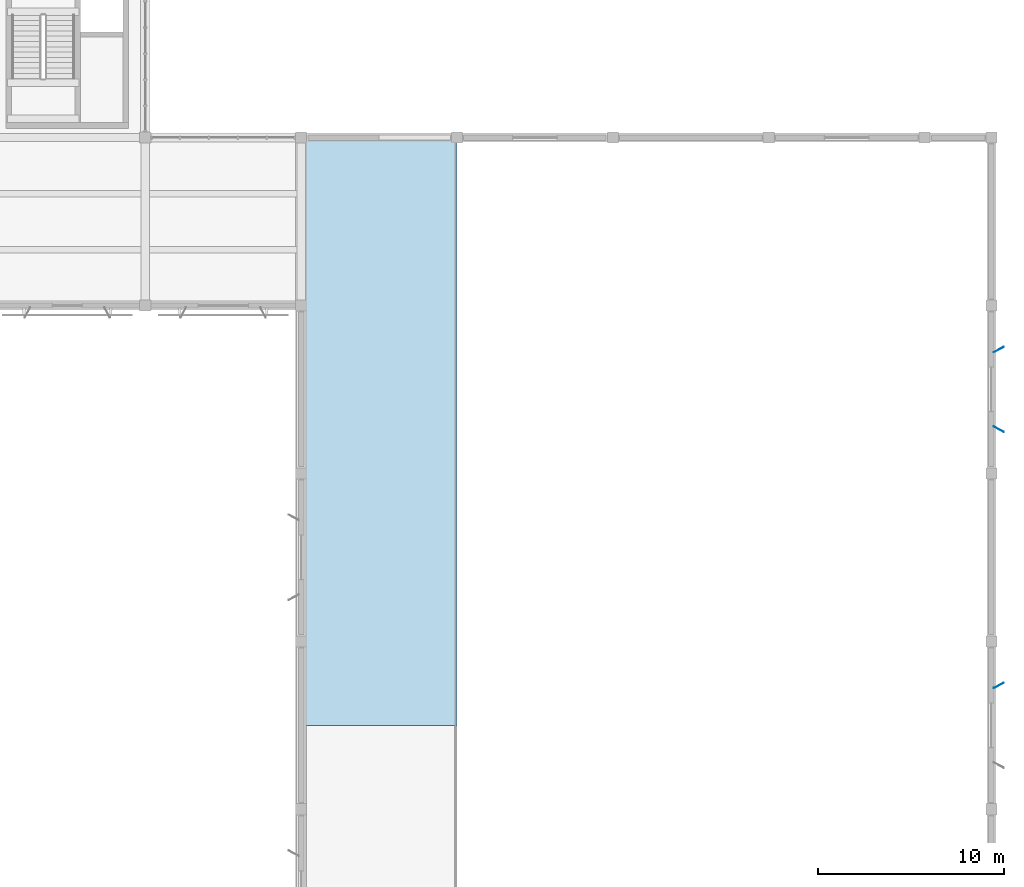
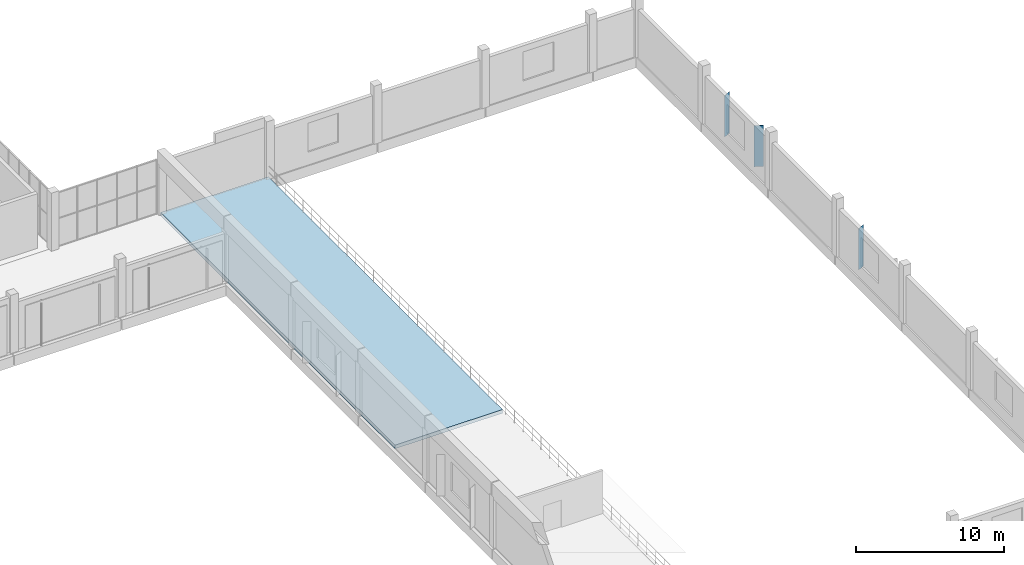
# One storey, part 55 of 80: 3 plates, 1 slab.
"""IFC4 building model written with IfcOpenShell, lengths in metres."""

import ifcopenshell
import ifcopenshell.guid

model = None  # the IFC model being written
_history = None  # IfcOwnerHistory: only IFC2X3 demands one
_inside = {}  # id of a spatial element -> (the spatial element, [elements in it])
_under = {}  # id of a project, library or spatial element -> (it, [spatial elements below it])
_declared = {}  # id of a project -> (the project, [libraries it declares])
_typed = {}  # id of a type object -> (the type object, [elements of that type])
_made_of = {}  # id of a material, layer set ... -> (it, [elements and type objects made of it])


def new_model(schema):
    """Start an empty IFC model of exactly this schema.

    Asked for "IFC4X3", IfcOpenShell would pick the latest addendum, in which some entities
    have other attributes; the version numbers below select the first issue.
    IFC2X3 requires an IfcOwnerHistory on every rooted entity: one is made here for all.
    """
    global model, _history
    if schema == "IFC4X3":
        model = ifcopenshell.file(schema_version=(4, 3, 0, 0))
    else:
        model = ifcopenshell.file(schema=schema)
    _inside.clear()
    _under.clear()
    _declared.clear()
    _typed.clear()
    _made_of.clear()
    _history = None
    if model.schema == "IFC2X3":
        org = make("IfcOrganization", Name="unknown")
        user = make(
            "IfcPersonAndOrganization",
            ThePerson=make("IfcPerson", FamilyName="unknown"),
            TheOrganization=org,
        )
        app = make(
            "IfcApplication",
            ApplicationDeveloper=org,
            Version="unknown",
            ApplicationFullName="unknown",
            ApplicationIdentifier="unknown",
        )
        _history = make(
            "IfcOwnerHistory",
            OwningUser=user,
            OwningApplication=app,
            ChangeAction="ADDED",
            CreationDate=0,
        )
    return model


def make(cls, **values):
    """One entity of the class cls with the attributes given. An attribute that is None is left unset."""
    return model.create_entity(
        cls, **{name: value for name, value in values.items() if value is not None}
    )


def rooted(cls, **values):
    """An entity with a GlobalId (a new one), such as an element, a storey or a relation."""
    return make(cls, GlobalId=ifcopenshell.guid.new(), OwnerHistory=_history, **values)


def si_unit(unit_type, name, prefix=None):
    """IfcSIUnit, for example si_unit("LENGTHUNIT", "METRE", prefix="MILLI")."""
    return make("IfcSIUnit", UnitType=unit_type, Prefix=prefix, Name=name)


def assignment(units):
    """IfcUnitAssignment: the units of a project."""
    return None if units is None else make("IfcUnitAssignment", Units=units)


def point(xyz):
    """IfcCartesianPoint."""
    return None if xyz is None else make("IfcCartesianPoint", Coordinates=xyz)


def direction(xyz):
    """IfcDirection."""
    return None if xyz is None else make("IfcDirection", DirectionRatios=xyz)


def frame(location, z_axis=None, x_axis=None):
    """IfcAxis2Placement3D, a coordinate frame: its origin and axes. An axis left out is left unset."""
    return make(
        "IfcAxis2Placement3D",
        Location=point(location),
        Axis=direction(z_axis),
        RefDirection=direction(x_axis),
    )


def frame_2d(location, x_axis=None):
    """IfcAxis2Placement2D, a coordinate frame in the plane: its origin and x axis."""
    return make(
        "IfcAxis2Placement2D", Location=point(location), RefDirection=direction(x_axis)
    )


def origin():
    """The frame at (0, 0, 0) with its axes left unset."""
    return frame((0.0, 0.0, 0.0))


def origin_2d():
    """The frame at (0, 0) in the plane with its x axis left unset."""
    return frame_2d((0.0, 0.0))


def place(relative_to, where):
    """IfcLocalPlacement: puts the frame where relative to a parent placement (None: the world)."""
    return make(
        "IfcLocalPlacement", PlacementRelTo=relative_to, RelativePlacement=where
    )


def context(
    kind, dimensions, precision=None, world=None, true_north=None, identifier=None
):
    """IfcGeometricRepresentationContext, for example the 3D "Model" context."""
    return make(
        "IfcGeometricRepresentationContext",
        ContextIdentifier=identifier,
        ContextType=kind,
        CoordinateSpaceDimension=dimensions,
        Precision=precision,
        WorldCoordinateSystem=world,
        TrueNorth=true_north,
    )


def subcontext(parent, identifier, kind, view, scale=None):
    """IfcGeometricRepresentationSubContext, for example "Body" below "Model"."""
    return make(
        "IfcGeometricRepresentationSubContext",
        ContextIdentifier=identifier,
        ContextType=kind,
        ParentContext=parent,
        TargetScale=scale,
        TargetView=view,
    )


def project(units=None, contexts=None):
    """IfcProject with its units and contexts."""
    return rooted(
        "IfcProject",
        Name="project",
        RepresentationContexts=contexts,
        UnitsInContext=assignment(units),
    )


def spatial(cls, under=None, at=None, **own):
    """A site, building, storey or space (cls), placed at a placement, below another one or the project."""
    s = rooted(cls, ObjectPlacement=at, **own)
    if under is not None:
        _under.setdefault(under.id(), (under, []))[1].append(s)
    return s


def polyline(points):
    """IfcPolyline through the points."""
    return make("IfcPolyline", Points=[point(p) for p in points])


def profile(cls, at=None, kind="AREA", **sizes):
    """A parametric profile (cls). Its sizes go by their IFC names, for example OverallWidth=200.0."""
    return make(cls, ProfileType=kind, Position=at, **sizes)


def rectangle(**sizes):
    """IfcRectangleProfileDef."""
    return profile("IfcRectangleProfileDef", **sizes)


def outline(outer, holes=None, kind="AREA"):
    """IfcArbitraryClosedProfileDef: a profile drawn as a closed curve; with holes, ...WithVoids."""
    if holes is None:
        return make("IfcArbitraryClosedProfileDef", ProfileType=kind, OuterCurve=outer)
    return make(
        "IfcArbitraryProfileDefWithVoids",
        ProfileType=kind,
        OuterCurve=outer,
        InnerCurves=holes,
    )


def extrude(swept, where, along, depth):
    """IfcExtrudedAreaSolid: the profile swept, set in the frame where, extruded along a direction by depth."""
    return make(
        "IfcExtrudedAreaSolid",
        SweptArea=swept,
        Position=where,
        ExtrudedDirection=direction(along),
        Depth=depth,
    )


def shape(context_of_items, identifier, shape_type, items):
    """IfcShapeRepresentation: the items that make up one representation, for example the "Body"."""
    return make(
        "IfcShapeRepresentation",
        ContextOfItems=context_of_items,
        RepresentationIdentifier=identifier,
        RepresentationType=shape_type,
        Items=items,
    )


def material(Name=None, Category=None):
    """IfcMaterial."""
    return make("IfcMaterial", Name=Name, Category=Category)


def layer(
    of_material, thickness, ventilated=None, Name=None, Category=None, Priority=None
):
    """IfcMaterialLayer: one layer of a wall or slab, of a material (None: an air gap)."""
    return make(
        "IfcMaterialLayer",
        Material=of_material,
        LayerThickness=thickness,
        IsVentilated=ventilated,
        Name=Name,
        Category=Category,
        Priority=Priority,
    )


def layer_set(layers, Name=None):
    """IfcMaterialLayerSet."""
    return make("IfcMaterialLayerSet", MaterialLayers=layers, LayerSetName=Name)


def made_of(thing, what):
    """Note that an element or type object is made of a material, layer set ...; save() writes the relation."""
    if what is not None:
        _made_of.setdefault(what.id(), (what, []))[1].append(thing)
    return thing


def type_object(cls, material=None, **own):
    """A type object (cls), such as IfcWallType, which elements share."""
    return made_of(rooted(cls, **own), material)


def element(
    cls,
    number,
    at=None,
    inside=None,
    cuts=None,
    type_object=None,
    material=None,
    context=None,
    identifier="Body",
    shape_type=None,
    held_by="IfcProductDefinitionShape",
    body=None,
    shapes=None,
    **own,
):
    """One element of the class cls, such as IfcWall. Its Tag is "e" and its number.

    at: its placement. inside: the storey or other place that contains it. cuts: it is an
    opening in that element (IfcRelVoidsElement). A single representation is given by context,
    identifier, shape_type and body (its items); several are given by shapes. held_by: the class
    of the entity that holds the representations. save() writes the other relations.
    """
    e = rooted(cls, Tag="e%d" % number, ObjectPlacement=at, **own)
    if body is not None:
        shapes = [shape(context, identifier, shape_type, body)]
    if shapes is not None:
        e.Representation = make(held_by, Representations=shapes)
    if inside is not None:
        _inside.setdefault(inside.id(), (inside, []))[1].append(e)
    if cuts is not None:
        rooted(
            "IfcRelVoidsElement", RelatingBuildingElement=cuts, RelatedOpeningElement=e
        )
    if type_object is not None:
        _typed.setdefault(type_object.id(), (type_object, []))[1].append(e)
    return made_of(e, material)


def aggregate(whole, parts):
    """IfcRelAggregates: a whole, such as a stair, and the parts it consists of."""
    return rooted("IfcRelAggregates", RelatingObject=whole, RelatedObjects=parts)


def save(model, path):
    """Write the relations noted so far, then the file.

    IfcRelAggregates (storeys below a building ...), IfcRelContainedInSpatialStructure (elements
    in a storey), IfcRelDefinesByType, IfcRelAssociatesMaterial and IfcRelDeclares: one each for
    every whole, place, type object, material and project.
    """
    for whole, parts in _under.values():
        aggregate(whole, parts)
    for where, things in _inside.values():
        rooted(
            "IfcRelContainedInSpatialStructure",
            RelatedElements=things,
            RelatingStructure=where,
        )
    for kind, things in _typed.values():
        rooted("IfcRelDefinesByType", RelatedObjects=things, RelatingType=kind)
    for what, things in _made_of.values():
        rooted("IfcRelAssociatesMaterial", RelatedObjects=things, RelatingMaterial=what)
    for by, libraries in _declared.values():
        rooted("IfcRelDeclares", RelatingContext=by, RelatedDefinitions=libraries)
    model.write(path)


model = new_model("IFC4")

# Units and contexts
model_context = context("Model", 3, precision=1e-05, world=origin(), true_north=direction((0.0, 1.0)))
body_context = subcontext(model_context, "Body", "Model", "MODEL_VIEW")
ifc_project = project(units=[si_unit("LENGTHUNIT", "METRE"), si_unit("AREAUNIT", "SQUARE_METRE"), si_unit("VOLUMEUNIT", "CUBIC_METRE"), si_unit("PLANEANGLEUNIT", "RADIAN"), si_unit("MASSUNIT", "GRAM", prefix="KILO")], contexts=[model_context])

# Site, building, storey
site_placement = place(None, origin())
site = spatial("IfcSite", under=ifc_project, at=site_placement, CompositionType="ELEMENT")
building_placement = place(site_placement, origin())
building = spatial("IfcBuilding", under=site, at=building_placement, Name="Khurvash Pelagic Aquarium", CompositionType="ELEMENT")
storey_placement = place(building_placement, frame((0.0, 0.0, 10.800048828125)))
storey = spatial("IfcBuildingStorey", under=building, at=storey_placement, Name="L02", CompositionType="ELEMENT", Elevation=10.800048828125)

# Slab
ifc_material_1 = material(Name="Concrete C40/50", Category="concrete")
ifc_layer_1 = layer(ifc_material_1, 0.300048828125)
ifc_layer_set_1 = layer_set([ifc_layer_1], Name="Concrete C40/50")
slab_type = type_object("IfcSlabType", Name="FS-300", PredefinedType="FLOOR", material=ifc_layer_set_1)
slab_placement = place(storey_placement, frame((0.0, 0.0, -0.300048828125)))
element("IfcSlab", 1, at=slab_placement, inside=storey, type_object=slab_type, Name="L02 Structural Floor Slab FS-300 V1_OVER.2", PredefinedType="FLOOR", context=body_context, shape_type="SweptSolid", body=[
    extrude(outline(polyline([(126.0, 52.375), (134.39990234375, 52.375), (134.39990234375, 84.050048828125), (126.0, 84.050048828125), (126.0, 52.375)])), origin(), (0.0, 0.0, 1.0), 0.300048828125),
])

# Plates
ifc_material_2 = material(Name="Anodised aluminium AW-5005", Category="aluminium")
ifc_layer_2 = layer(ifc_material_2, 0.02392578125)
ifc_layer_set_2 = layer_set([ifc_layer_2], Name="Anodised aluminium AW-5005")
plate_type = type_object("IfcPlateType", Name="SP-01", PredefinedType="SHEET", material=ifc_layer_set_2)
for number, where, z_axis, x_axis, name in (
    (2, (163.597900390625, 54.52490234375, 0.14990234375), (0.0, 0.0, 1.0), (0.882947592859, 0.469471562786, 0.0), "L02 Parametric Folded Aluminium Solar Screen Fin SP-01 0142"),
    (3, (163.597900390625, 68.324951171875, 0.14990234375), (0.0, 0.0, 1.0), (0.882947592859, -0.469471562786, 0.0), "L02 Parametric Folded Aluminium Solar Screen Fin SP-01 0143"),
    (4, (163.597900390625, 72.625, 0.14990234375), (0.0, 0.0, 1.0), (0.882947592859, 0.469471562786, 0.0), "L02 Parametric Folded Aluminium Solar Screen Fin SP-01 0144"),
):
    element("IfcPlate", number, at=place(storey_placement, frame(where, z_axis=z_axis, x_axis=x_axis)), inside=storey, type_object=plate_type, Name=name, PredefinedType="SHEET", context=body_context, shape_type="SweptSolid", body=[
        extrude(rectangle(XDim=0.6201171875, YDim=0.02392578125, at=origin_2d()), origin(), (0.0, 0.0, 1.0), 3.39990234375),
    ])

save(model, "model.ifc")
